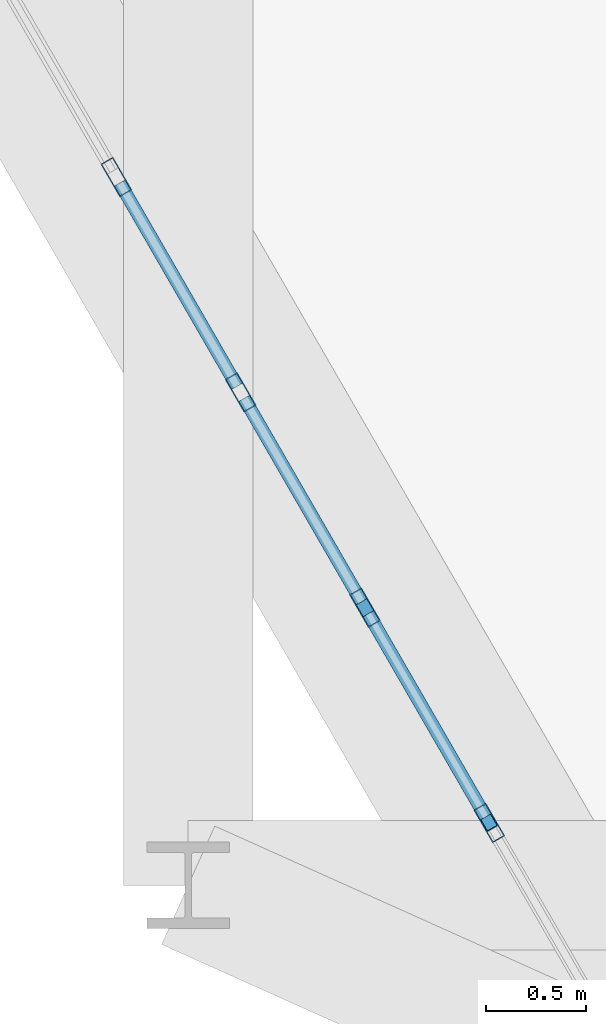
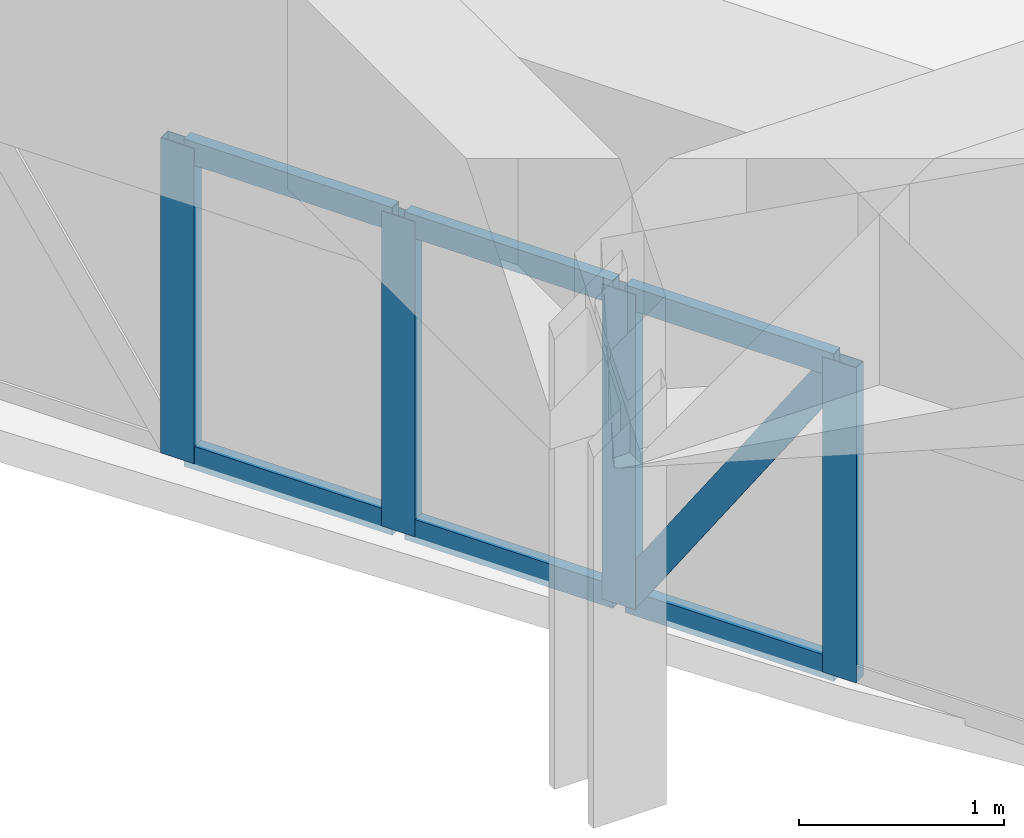
# One storey, part 4 of 19: 11 members, 1 element without a shape of its own.
"""IFC4 building model written with IfcOpenShell, lengths in metres."""

from ifc_helpers import new_model, si_unit, derived_unit, direction, frame, origin, origin_2d, place, context, subcontext, project, spatial, hollow_rectangle, extrude, source, transform, mapped, material, layer, layer_set, material_profile, profile_set, type_object, element, aggregate, save


model = new_model("IFC4")

# Units and contexts
model_context = context("Model", 3, precision=1e-05, world=origin(), true_north=direction((0.0, 1.0)))
body_context = subcontext(model_context, "Body", "Model", "MODEL_VIEW")
ifc_project = project(units=[si_unit("LENGTHUNIT", "METRE"), si_unit("AREAUNIT", "SQUARE_METRE"), si_unit("VOLUMEUNIT", "CUBIC_METRE"), si_unit("PLANEANGLEUNIT", "RADIAN"), si_unit("MASSUNIT", "GRAM", prefix="KILO"), derived_unit("THERMALTRANSMITTANCEUNIT", [(si_unit("POWERUNIT", "WATT"), 1), (si_unit("LENGTHUNIT", "METRE"), -2), (si_unit("THERMODYNAMICTEMPERATUREUNIT", "KELVIN"), -1)])], contexts=[model_context])

# Site, building, storey
site_placement = place(None, origin())
site = spatial("IfcSite", under=ifc_project, at=site_placement, CompositionType="ELEMENT")
building_placement = place(site_placement, origin())
building = spatial("IfcBuilding", under=site, at=building_placement, Name="Korsvarv Bourse and Concert Hall", CompositionType="ELEMENT")
storey_placement = place(building_placement, frame((0.0, 0.0, 223.800048828125)))
storey = spatial("IfcBuildingStorey", under=building, at=storey_placement, Name="L58", CompositionType="ELEMENT", Elevation=223.800048828125)

# Curtain wall, members
ifc_material_1 = material(Name="Anodised aluminium and triple low-E glazing", Category="glass")
ifc_layer = layer(ifc_material_1, 0.199951171875)
ifc_layer_set = layer_set([ifc_layer], Name="Anodised aluminium and triple low-E glazing")
curtain_wall_type = type_object("IfcCurtainWallType", Name="CW-SYS-3", PredefinedType="NOTDEFINED", material=ifc_layer_set)
curtain_wall_placement = place(storey_placement, origin())
curtain_wall = element("IfcCurtainWall", 1, at=curtain_wall_placement, inside=storey, type_object=curtain_wall_type, Name="L58 CW3 curtain wall CW-L58-F07-2", PredefinedType="NOTDEFINED")
ifc_material_2 = material(Name="Extruded aluminium EN AW-6063 T66", Category="aluminium")
ifc_material_profile_1 = material_profile(ifc_material_2, hollow_rectangle(XDim=0.070068359375, YDim=0.18994140625, WallThickness=0.0048828125, at=origin_2d()), Name="ALU-M 70x190")
ifc_profile_set_1 = profile_set([ifc_material_profile_1], Name="Extruded aluminium EN AW-6063 T66")
member_type_1 = type_object("IfcMemberType", Name="CWM-190", PredefinedType="MULLION", material=ifc_profile_set_1)
shared_shape_1 = source(origin(), body_context, "Body", "SweptSolid", [
    extrude(hollow_rectangle(XDim=0.070068359375, YDim=0.18994140625, WallThickness=0.0048828125, at=origin_2d()), origin(), (0.0, 0.0, 1.0), 1.8798828125),
])
member_1_placement = place(storey_placement, frame((27.240234375, 27.547119140625, 0.0), z_axis=(0.0, 0.0, 1.0), x_axis=(0.866027766968, 0.499995906824, 0.0)))
member_1 = element("IfcMember", 2, at=member_1_placement, type_object=member_type_1, Name="CW3 mullion 5", PredefinedType="MULLION", context=body_context, shape_type="MappedRepresentation", body=[
    mapped(shared_shape_1, transform((0.0, 0.0, 0.0), scale=1.0)),
])
member_2_placement = place(storey_placement, frame((27.86279296875, 26.46875, 0.0), z_axis=(0.0, 0.0, 1.0), x_axis=(0.866027766968, 0.499995906824, 0.0)))
member_2 = element("IfcMember", 3, at=member_2_placement, type_object=member_type_1, Name="CW3 mullion 6", PredefinedType="MULLION", context=body_context, shape_type="MappedRepresentation", body=[
    mapped(shared_shape_1, transform((0.0, 0.0, 0.0), scale=1.0)),
])
member_3_placement = place(storey_placement, frame((28.4853515625, 25.390380859375, 0.0), z_axis=(0.0, 0.0, 1.0), x_axis=(0.866027766968, 0.499995906824, 0.0)))
member_3 = element("IfcMember", 4, at=member_3_placement, type_object=member_type_1, Name="CW3 mullion 7", PredefinedType="MULLION", context=body_context, shape_type="MappedRepresentation", body=[
    mapped(shared_shape_1, transform((0.0, 0.0, 0.0), scale=1.0)),
])
member_4_placement = place(storey_placement, frame((29.10791015625, 24.312255859375, 0.0), z_axis=(0.0, 0.0, 1.0), x_axis=(0.866027766968, 0.499995906824, 0.0)))
member_4 = element("IfcMember", 5, at=member_4_placement, type_object=member_type_1, Name="CW3 mullion 8", PredefinedType="MULLION", context=body_context, shape_type="MappedRepresentation", body=[
    mapped(shared_shape_1, transform((0.0, 0.0, 0.0), scale=1.0)),
])
ifc_material_profile_2 = material_profile(ifc_material_2, hollow_rectangle(XDim=0.06494140625, YDim=0.139892578125, WallThickness=0.00390625, at=origin_2d()), Name="ALU-T 65x140")
ifc_profile_set_2 = profile_set([ifc_material_profile_2], Name="Extruded aluminium EN AW-6063 T66")
member_type_2 = type_object("IfcMemberType", Name="CWT-140", PredefinedType="USERDEFINED", material=ifc_profile_set_2)
shared_shape_2 = source(origin(), body_context, "Body", "SweptSolid", [
    extrude(hollow_rectangle(XDim=0.06494140625, YDim=0.139892578125, WallThickness=0.00390625, at=origin_2d()), origin(), (0.0, 0.0, 1.0), 1.175048828125),
])
member_5_placement = place(storey_placement, frame((27.2578125, 27.516845703125, 0.032470703125), z_axis=(0.499848343792, -0.866112944834, 0.0), x_axis=(0.866112944834, 0.499848343792, 0.0)))
member_5 = element("IfcMember", 6, at=member_5_placement, type_object=member_type_2, Name="CW3 transom 5.1", ObjectType="TRANSOM", PredefinedType="USERDEFINED", context=body_context, shape_type="MappedRepresentation", body=[
    mapped(shared_shape_2, transform((0.0, 0.0, 0.0), scale=1.0)),
])
member_6_placement = place(storey_placement, frame((27.2578125, 27.516845703125, 1.847412109375), z_axis=(0.499848343792, -0.866112944834, 0.0), x_axis=(0.866112944834, 0.499848343792, 0.0)))
member_6 = element("IfcMember", 7, at=member_6_placement, type_object=member_type_2, Name="CW3 transom 5.2", ObjectType="TRANSOM", PredefinedType="USERDEFINED", context=body_context, shape_type="MappedRepresentation", body=[
    mapped(shared_shape_2, transform((0.0, 0.0, 0.0), scale=1.0)),
])
member_7_placement = place(storey_placement, frame((27.88037109375, 26.4384765625, 0.032470703125), z_axis=(0.499938297808, -0.866061024631, 0.0), x_axis=(0.866061024631, 0.499938297808, 0.0)))
member_7 = element("IfcMember", 8, at=member_7_placement, type_object=member_type_2, Name="CW3 transom 6.1", ObjectType="TRANSOM", PredefinedType="USERDEFINED", context=body_context, shape_type="MappedRepresentation", body=[
    mapped(shared_shape_2, transform((0.0, 0.0, 0.0), scale=1.0)),
])
member_8_placement = place(storey_placement, frame((27.88037109375, 26.4384765625, 1.847412109375), z_axis=(0.499938297808, -0.866061024631, 0.0), x_axis=(0.866061024631, 0.499938297808, 0.0)))
member_8 = element("IfcMember", 9, at=member_8_placement, type_object=member_type_2, Name="CW3 transom 6.2", ObjectType="TRANSOM", PredefinedType="USERDEFINED", context=body_context, shape_type="MappedRepresentation", body=[
    mapped(shared_shape_2, transform((0.0, 0.0, 0.0), scale=1.0)),
])
member_9_placement = place(storey_placement, frame((28.502685546875, 25.360107421875, 0.032470703125), z_axis=(0.500094127459, -0.86597105245, 0.0), x_axis=(0.86597105245, 0.500094127459, 0.0)))
member_9 = element("IfcMember", 10, at=member_9_placement, type_object=member_type_2, Name="CW3 transom 7.1", ObjectType="TRANSOM", PredefinedType="USERDEFINED", context=body_context, shape_type="MappedRepresentation", body=[
    mapped(shared_shape_2, transform((0.0, 0.0, 0.0), scale=1.0)),
])
member_10_placement = place(storey_placement, frame((28.502685546875, 25.360107421875, 1.847412109375), z_axis=(0.500094127459, -0.86597105245, 0.0), x_axis=(0.86597105245, 0.500094127459, 0.0)))
member_10 = element("IfcMember", 11, at=member_10_placement, type_object=member_type_2, Name="CW3 transom 7.2", ObjectType="TRANSOM", PredefinedType="USERDEFINED", context=body_context, shape_type="MappedRepresentation", body=[
    mapped(shared_shape_2, transform((0.0, 0.0, 0.0), scale=1.0)),
])
ifc_material_profile_3 = material_profile(ifc_material_2, hollow_rectangle(XDim=0.06494140625, YDim=0.1650390625, WallThickness=0.0048828125, at=origin_2d()), Name="ALU-M 65x165")
ifc_profile_set_3 = profile_set([ifc_material_profile_3], Name="Extruded aluminium EN AW-6063 T66")
member_type_3 = type_object("IfcMemberType", Name="CWM-165", PredefinedType="MULLION", material=ifc_profile_set_3)
shared_shape_3 = source(origin(), body_context, "Body", "SweptSolid", [
    extrude(hollow_rectangle(XDim=0.06494140625, YDim=0.1650390625, WallThickness=0.0048828125, at=origin_2d()), origin(), (0.0, 0.0, 1.0), 2.10791015625),
])
member_11_placement = place(storey_placement, frame((28.502685546875, 25.360107421875, 0.06494140625), z_axis=(0.278781297619, -0.482742188814, 0.83020537654), x_axis=(0.86597105245, 0.500094127459, 0.0)))
member_11 = element("IfcMember", 12, at=member_11_placement, type_object=member_type_3, Name="CW3 diagonal mullion 7", PredefinedType="MULLION", context=body_context, shape_type="MappedRepresentation", body=[
    mapped(shared_shape_3, transform((0.0, 0.0, 0.0), scale=1.0)),
])
aggregate(curtain_wall, [member_1, member_2, member_3, member_4, member_5, member_6, member_7, member_8, member_9, member_10, member_11])

save(model, "model.ifc")
